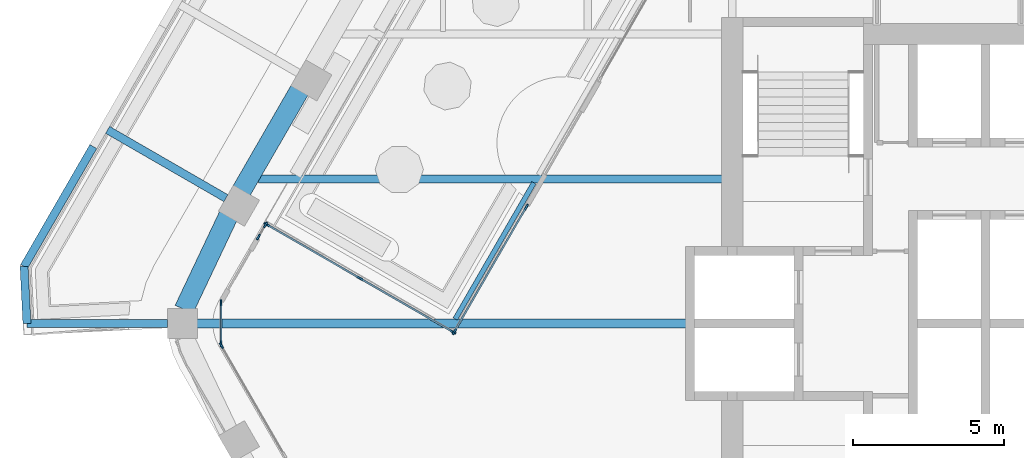
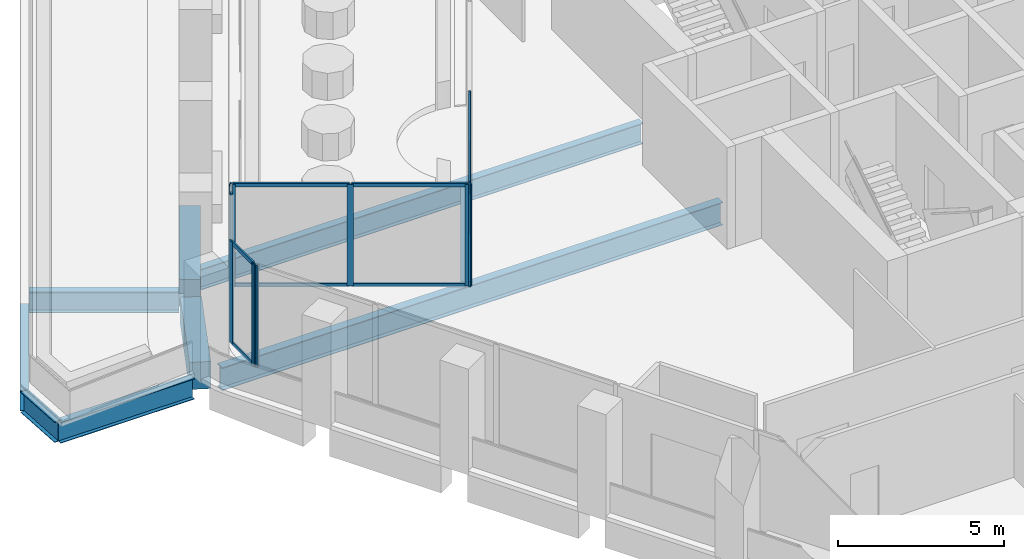
# One storey, part 3 of 18: 18 members, 9 beams, 5 elements without a shape of their own.
"""IFC4 building model written with IfcOpenShell, lengths in metres."""

from ifc_helpers import new_model, si_unit, direction, frame, origin, origin_2d, place, context, subcontext, project, spatial, rectangle, i_section, extrude, material, material_profile, profile_set, type_object, element, aggregate, save


model = new_model("IFC4")

# Units and contexts
model_context = context("Model", 3, precision=1e-05, world=origin(), true_north=direction((0.0, 1.0)))
body_context = subcontext(model_context, "Body", "Model", "MODEL_VIEW")
ifc_project = project(units=[si_unit("LENGTHUNIT", "METRE"), si_unit("AREAUNIT", "SQUARE_METRE"), si_unit("VOLUMEUNIT", "CUBIC_METRE"), si_unit("PLANEANGLEUNIT", "RADIAN"), si_unit("MASSUNIT", "GRAM", prefix="KILO")], contexts=[model_context])

# Site, building, storey
site_placement = place(None, origin())
site = spatial("IfcSite", under=ifc_project, at=site_placement, CompositionType="ELEMENT")
building_placement = place(site_placement, origin())
building = spatial("IfcBuilding", under=site, at=building_placement, Name="Kolab Exchange Tower", CompositionType="ELEMENT")
storey_placement = place(building_placement, frame((0.0, 0.0, 150.5)))
storey = spatial("IfcBuildingStorey", under=building, at=storey_placement, Name="L30", CompositionType="ELEMENT", Elevation=150.5)

# Beams
ifc_material_1 = material(Name="Steel S355", Category="steel")
ifc_material_profile_1 = material_profile(ifc_material_1, i_section(OverallWidth=0.1650390625, OverallDepth=0.31005859375, WebThickness=0.005859375, FlangeThickness=0.009765625, at=origin_2d()), Name="W310X39")
ifc_profile_set_1 = profile_set([ifc_material_profile_1], Name="Steel S355")
beam_type_1 = type_object("IfcBeamType", Name="FLOOR BEAM W310X39", PredefinedType="BEAM", material=ifc_profile_set_1)
beam_1_placement = place(storey_placement, frame((-18.791015625, 0.14599609375, -0.304931640625), z_axis=(0.499992367345, 0.866029810455, 0.0), x_axis=(-0.866029810455, 0.499992367345, 0.0)))
element("IfcBeam", 1, at=beam_1_placement, inside=storey, type_object=beam_type_1, Name="beam/L30/fr/007", PredefinedType="BEAM", context=body_context, shape_type="SweptSolid", body=[
    extrude(i_section(OverallWidth=0.1650390625, OverallDepth=0.31005859375, WebThickness=0.005859375, FlangeThickness=0.009765625, at=origin_2d()), origin(), (0.0, 0.0, 1.0), 5.2197265625),
])
ifc_material_profile_2 = material_profile(ifc_material_1, i_section(OverallWidth=0.26708984375, OverallDepth=0.761962890625, WebThickness=0.014404296875, FlangeThickness=0.021484375, at=origin_2d()), Name="W760X173")
ifc_profile_set_2 = profile_set([ifc_material_profile_2], Name="Steel S355")
beam_type_2 = type_object("IfcBeamType", Name="FLOOR BEAM W760X173", PredefinedType="BEAM", material=ifc_profile_set_2)
beam_2_placement = place(storey_placement, frame((-25.318115234375, 4.800048828125, -0.531005859375), z_axis=(1.0, 0.0, 0.0), x_axis=(0.0, 1.0, 0.0)))
element("IfcBeam", 2, at=beam_2_placement, inside=storey, type_object=beam_type_2, Name="beam/L30/fr/002", PredefinedType="BEAM", context=body_context, shape_type="SweptSolid", body=[
    extrude(i_section(OverallWidth=0.26708984375, OverallDepth=0.761962890625, WebThickness=0.014404296875, FlangeThickness=0.021484375, at=origin_2d()), origin(), (0.0, 0.0, 1.0), 15.408203125),
])
ifc_material_profile_3 = material_profile(ifc_material_1, i_section(OverallWidth=0.2919921875, OverallDepth=0.840087890625, WebThickness=0.0146484375, FlangeThickness=0.021728515625, at=origin_2d()), Name="W840X193")
ifc_profile_set_3 = profile_set([ifc_material_profile_3], Name="Steel S355")
beam_type_3 = type_object("IfcBeamType", Name="FLOOR BEAM W840X193", PredefinedType="BEAM", material=ifc_profile_set_3)
beam_3_placement = place(storey_placement, frame((-27.3759765625, 0.0, -0.570068359375), z_axis=(1.0, 0.0, 0.0), x_axis=(0.0, 1.0, 0.0)))
element("IfcBeam", 3, at=beam_3_placement, inside=storey, type_object=beam_type_3, Name="beam/L30/fr/000", PredefinedType="BEAM", context=body_context, shape_type="SweptSolid", body=[
    extrude(i_section(OverallWidth=0.2919921875, OverallDepth=0.840087890625, WebThickness=0.0146484375, FlangeThickness=0.021728515625, at=origin_2d()), origin(), (0.0, 0.0, 1.0), 17.466064453125),
])
ifc_material_profile_4 = material_profile(ifc_material_1, i_section(OverallWidth=0.26708984375, OverallDepth=0.761962890625, WebThickness=0.014404296875, FlangeThickness=0.021484375, at=origin_2d()), Name="W760X173")
ifc_profile_set_4 = profile_set([ifc_material_profile_4], Name="Steel S355")
beam_type_4 = type_object("IfcBeamType", Name="FLOOR GIRDER W760X173", PredefinedType="BEAM", material=ifc_profile_set_4)
beam_4_placement = place(storey_placement, frame((-28.3359375, 0.0, -0.591064453125), z_axis=(-1.0, 0.0, 0.0), x_axis=(0.0, -1.0, 0.0)))
element("IfcBeam", 4, at=beam_4_placement, inside=storey, type_object=beam_type_4, Name="beam/L30/ledge/rib-00", PredefinedType="BEAM", context=body_context, shape_type="SweptSolid", body=[
    extrude(i_section(OverallWidth=0.26708984375, OverallDepth=0.761962890625, WebThickness=0.014404296875, FlangeThickness=0.021484375, at=origin_2d()), origin(), (0.0, 0.0, 1.0), 4.66650390625),
])
beam_5_placement = place(storey_placement, frame((-26.39990234375, 4.156982421875, -0.591064453125), z_axis=(-0.866043881399, 0.499967994467, 0.0), x_axis=(-0.499967994467, -0.866043881399, 0.0)))
element("IfcBeam", 5, at=beam_5_placement, inside=storey, type_object=beam_type_4, Name="beam/L30/ledge/rib-01", PredefinedType="BEAM", context=body_context, shape_type="SweptSolid", body=[
    extrude(i_section(OverallWidth=0.26708984375, OverallDepth=0.761962890625, WebThickness=0.014404296875, FlangeThickness=0.021484375, at=origin_2d()), origin(), (0.0, 0.0, 1.0), 4.532958984375),
])
beam_6_placement = place(storey_placement, frame((-33.002685546875, 0.0, -0.591064453125), z_axis=(-0.049931181973, 0.998752660606, 0.0), x_axis=(-0.998752660606, -0.049931181973, 0.0)))
element("IfcBeam", 6, at=beam_6_placement, inside=storey, type_object=beam_type_4, Name="beam/L30/ledge/edge-00", PredefinedType="BEAM", context=body_context, shape_type="SweptSolid", body=[
    extrude(i_section(OverallWidth=0.26708984375, OverallDepth=0.761962890625, WebThickness=0.014404296875, FlangeThickness=0.021484375, at=origin_2d()), origin(), (0.0, 0.0, 1.0), 1.892333984375),
])
beam_7_placement = place(storey_placement, frame((-33.09716796875, 1.889892578125, -0.591064453125), z_axis=(0.499980071345, 0.866036909293, 0.0), x_axis=(-0.866036909293, 0.499980071345, 0.0)))
element("IfcBeam", 7, at=beam_7_placement, inside=storey, type_object=beam_type_4, Name="beam/L30/ledge/edge-01", PredefinedType="BEAM", context=body_context, shape_type="SweptSolid", body=[
    extrude(i_section(OverallWidth=0.26708984375, OverallDepth=0.761962890625, WebThickness=0.014404296875, FlangeThickness=0.021484375, at=origin_2d()), origin(), (0.0, 0.0, 1.0), 4.593994140625),
])
ifc_material_2 = material(Name="Concrete C60/75", Category="concrete")
ifc_material_profile_5 = material_profile(ifc_material_2, rectangle(XDim=0.64990234375, YDim=1.0, at=origin_2d()), Name="RC650X1000")
ifc_profile_set_5 = profile_set([ifc_material_profile_5], Name="Concrete C60/75")
beam_type_5 = type_object("IfcBeamType", Name="SPANDREL BEAM 650X1000 C60/75", PredefinedType="BEAM", material=ifc_profile_set_5)
beam_8_placement = place(storey_placement, frame((-27.791259765625, 0.4638671875, -0.64990234375), z_axis=(0.428177731975, 0.903694544545, 0.0), x_axis=(-0.903694544545, 0.428177731975, 0.0)))
element("IfcBeam", 8, at=beam_8_placement, inside=storey, type_object=beam_type_5, Name="beam/L30/sp/F6-01", PredefinedType="BEAM", context=body_context, shape_type="SweptSolid", body=[
    extrude(rectangle(XDim=0.64990234375, YDim=1.0, at=origin_2d()), origin(), (0.0, 0.0, 1.0), 3.445068359375),
])
beam_9_placement = place(storey_placement, frame((-25.888427734375, 4.392822265625, -0.64990234375), z_axis=(0.499996613652, 0.866027358884, 0.0), x_axis=(-0.866027358884, 0.499996613652, 0.0)))
element("IfcBeam", 9, at=beam_9_placement, inside=storey, type_object=beam_type_5, Name="beam/L30/sp/F6-02", PredefinedType="BEAM", context=body_context, shape_type="SweptSolid", body=[
    extrude(rectangle(XDim=0.64990234375, YDim=1.0, at=origin_2d()), origin(), (0.0, 0.0, 1.0), 3.8798828125),
])

# Curtain wall, member
ifc_material_3 = material(Name="Aluminium EN AW-6063 T6", Category="aluminium")
curtain_wall_type = type_object("IfcCurtainWallType", Name="UNITISED UPPER MID ZONE CURTAIN WALL", PredefinedType="NOTDEFINED", material=ifc_material_3)
curtain_wall_1_placement = place(storey_placement, origin())
curtain_wall_1 = element("IfcCurtainWall", 10, at=curtain_wall_1_placement, inside=storey, type_object=curtain_wall_type, Name="cw/L30/F5-2", PredefinedType="NOTDEFINED")
ifc_material_profile_6 = material_profile(ifc_material_3, rectangle(XDim=0.06005859375, YDim=0.199951171875, at=origin_2d()), Name="RECT 60X200")
ifc_profile_set_6 = profile_set([ifc_material_profile_6], Name="Aluminium EN AW-6063 T6")
member_type_1 = type_object("IfcMemberType", Name="UNITISED UPPER MID ZONE MULLION 60 X 200", PredefinedType="MULLION", material=ifc_profile_set_6)
member_1_placement = place(storey_placement, frame((-26.550537109375, -0.736083984375, 0.0), z_axis=(0.0, 0.0, 1.0), x_axis=(-0.866025427826, -0.499999958358, 0.0)))
member_1 = element("IfcMember", 11, at=member_1_placement, type_object=member_type_1, Name="CW3 mullion 4", PredefinedType="MULLION", context=body_context, shape_type="SweptSolid", body=[
    extrude(rectangle(XDim=0.06005859375, YDim=0.199951171875, at=origin_2d()), origin(), (0.0, 0.0, 1.0), 3.75),
])
aggregate(curtain_wall_1, [member_1])

# Curtain wall, members
curtain_wall_2_placement = place(storey_placement, origin())
curtain_wall_2 = element("IfcCurtainWall", 12, at=curtain_wall_2_placement, inside=storey, type_object=curtain_wall_type, Name="cw/L30/F6-l-1", PredefinedType="NOTDEFINED")
member_2_placement = place(storey_placement, frame((-25.320556640625, 2.866455078125, 0.0), z_axis=(0.0, 0.0, 1.0), x_axis=(-0.866025697436, 0.49999949138, 0.0)))
member_2 = element("IfcMember", 13, at=member_2_placement, type_object=member_type_1, Name="CW3 mullion 1", PredefinedType="MULLION", context=body_context, shape_type="SweptSolid", body=[
    extrude(rectangle(XDim=0.06005859375, YDim=0.199951171875, at=origin_2d()), origin(), (0.0, 0.0, 1.0), 3.75),
])
member_3_placement = place(storey_placement, frame((-25.086669921875, 3.271728515625, 0.0), z_axis=(0.0, 0.0, 1.0), x_axis=(-0.866025697436, 0.49999949138, 0.0)))
member_3 = element("IfcMember", 14, at=member_3_placement, type_object=member_type_1, Name="CW3 mullion 2", PredefinedType="MULLION", context=body_context, shape_type="SweptSolid", body=[
    extrude(rectangle(XDim=0.06005859375, YDim=0.199951171875, at=origin_2d()), origin(), (0.0, 0.0, 1.0), 3.75),
])
aggregate(curtain_wall_2, [member_2, member_3])

curtain_wall_3_placement = place(storey_placement, origin())
curtain_wall_3 = element("IfcCurtainWall", 15, at=curtain_wall_3_placement, inside=storey, type_object=curtain_wall_type, Name="cw/L30/F6-rl-1", PredefinedType="NOTDEFINED")
member_4_placement = place(storey_placement, frame((-25.045654296875, 3.28271484375, 0.0), z_axis=(0.0, 0.0, 1.0), x_axis=(0.499999994423, 0.866025407005, 0.0)))
member_4 = element("IfcMember", 16, at=member_4_placement, type_object=member_type_1, Name="CW3 mullion 1", PredefinedType="MULLION", context=body_context, shape_type="SweptSolid", body=[
    extrude(rectangle(XDim=0.06005859375, YDim=0.199951171875, at=origin_2d()), origin(), (0.0, 0.0, 1.0), 3.75),
])
member_5_placement = place(storey_placement, frame((-21.9541015625, 1.49755859375, 0.0), z_axis=(0.0, 0.0, 1.0), x_axis=(0.499999994423, 0.866025407005, 0.0)))
member_5 = element("IfcMember", 17, at=member_5_placement, type_object=member_type_1, Name="CW3 mullion 2", PredefinedType="MULLION", context=body_context, shape_type="SweptSolid", body=[
    extrude(rectangle(XDim=0.06005859375, YDim=0.199951171875, at=origin_2d()), origin(), (0.0, 0.0, 1.0), 3.75),
])
member_6_placement = place(storey_placement, frame((-18.8623046875, -0.287353515625, 0.0), z_axis=(0.0, 0.0, 1.0), x_axis=(0.499999994423, 0.866025407005, 0.0)))
member_6 = element("IfcMember", 18, at=member_6_placement, type_object=member_type_1, Name="CW3 mullion 3", PredefinedType="MULLION", context=body_context, shape_type="SweptSolid", body=[
    extrude(rectangle(XDim=0.06005859375, YDim=0.199951171875, at=origin_2d()), origin(), (0.0, 0.0, 1.0), 3.75),
])

curtain_wall_4_placement = place(storey_placement, origin())
curtain_wall_4 = element("IfcCurtainWall", 19, at=curtain_wall_4_placement, inside=storey, type_object=curtain_wall_type, Name="cw/L30/F6-back-1", PredefinedType="NOTDEFINED")
member_7_placement = place(storey_placement, frame((-18.8212890625, -0.2763671875, 0.0), z_axis=(0.0, 0.0, 1.0), x_axis=(-0.866025406141, 0.499999995919, 0.0)))
member_7 = element("IfcMember", 20, at=member_7_placement, type_object=member_type_1, Name="CW3 mullion 1", PredefinedType="MULLION", context=body_context, shape_type="SweptSolid", body=[
    extrude(rectangle(XDim=0.06005859375, YDim=0.199951171875, at=origin_2d()), origin(), (0.0, 0.0, 1.0), 3.75),
])
member_8_placement = place(storey_placement, frame((-16.431396484375, 3.86328125, 0.0), z_axis=(0.0, 0.0, 1.0), x_axis=(-0.866025406141, 0.499999995919, 0.0)))
member_8 = element("IfcMember", 21, at=member_8_placement, type_object=member_type_1, Name="CW3 mullion 2", PredefinedType="MULLION", context=body_context, shape_type="SweptSolid", body=[
    extrude(rectangle(XDim=0.06005859375, YDim=0.199951171875, at=origin_2d()), origin(), (0.0, 0.0, 1.0), 3.75),
])

curtain_wall_5_placement = place(storey_placement, origin())
curtain_wall_5 = element("IfcCurtainWall", 22, at=curtain_wall_5_placement, inside=storey, type_object=curtain_wall_type, Name="cw/L30/F5F6-corner", PredefinedType="NOTDEFINED")
member_9_placement = place(storey_placement, frame((-26.565673828125, -0.679931640625, 0.0), z_axis=(0.0, 0.0, 1.0), x_axis=(-1.0, 0.0, 0.0)))
member_9 = element("IfcMember", 23, at=member_9_placement, type_object=member_type_1, Name="CW3 mullion 1", PredefinedType="MULLION", context=body_context, shape_type="SweptSolid", body=[
    extrude(rectangle(XDim=0.06005859375, YDim=0.199951171875, at=origin_2d()), origin(), (0.0, 0.0, 1.0), 3.75),
])
member_10_placement = place(storey_placement, frame((-26.565673828125, 0.679931640625, 0.0), z_axis=(0.0, 0.0, 1.0), x_axis=(-1.0, 0.0, 0.0)))
member_10 = element("IfcMember", 24, at=member_10_placement, type_object=member_type_1, Name="CW3 mullion 2", PredefinedType="MULLION", context=body_context, shape_type="SweptSolid", body=[
    extrude(rectangle(XDim=0.06005859375, YDim=0.199951171875, at=origin_2d()), origin(), (0.0, 0.0, 1.0), 3.75),
])

# Member
ifc_material_profile_7 = material_profile(ifc_material_3, rectangle(XDim=0.06005859375, YDim=0.139892578125, at=origin_2d()), Name="RECT 60X140")
ifc_profile_set_7 = profile_set([ifc_material_profile_7], Name="Aluminium EN AW-6063 T6")
member_type_2 = type_object("IfcMemberType", Name="UNITISED UPPER MID ZONE TRANSOM 60 X 140", PredefinedType="USERDEFINED", material=ifc_profile_set_7)
member_11_placement = place(storey_placement, frame((-25.019775390625, 3.267578125, 0.030029296875), z_axis=(0.866043119098, -0.499969314921, 0.0), x_axis=(0.499969314921, 0.866043119098, 0.0)))
member_11 = element("IfcMember", 25, at=member_11_placement, type_object=member_type_2, Name="CW3 transom 1.1", ObjectType="TRANSOM", PredefinedType="USERDEFINED", context=body_context, shape_type="SweptSolid", body=[
    extrude(rectangle(XDim=0.06005859375, YDim=0.139892578125, at=origin_2d()), origin(), (0.0, 0.0, 1.0), 3.510009765625),
])

member_12_placement = place(storey_placement, frame((-25.019775390625, 3.267578125, 3.719970703125), z_axis=(0.866043119098, -0.499969314921, 0.0), x_axis=(0.499969314921, 0.866043119098, 0.0)))
member_12 = element("IfcMember", 26, at=member_12_placement, type_object=member_type_2, Name="CW3 transom 1.2", ObjectType="TRANSOM", PredefinedType="USERDEFINED", context=body_context, shape_type="SweptSolid", body=[
    extrude(rectangle(XDim=0.06005859375, YDim=0.139892578125, at=origin_2d()), origin(), (0.0, 0.0, 1.0), 3.510009765625),
])

member_13_placement = place(storey_placement, frame((-21.927978515625, 1.482666015625, 0.030029296875), z_axis=(0.866013001128, -0.500021481416, 0.0), x_axis=(0.500021481416, 0.866013001128, 0.0)))
member_13 = element("IfcMember", 27, at=member_13_placement, type_object=member_type_2, Name="CW3 transom 2.1", ObjectType="TRANSOM", PredefinedType="USERDEFINED", context=body_context, shape_type="SweptSolid", body=[
    extrude(rectangle(XDim=0.06005859375, YDim=0.139892578125, at=origin_2d()), origin(), (0.0, 0.0, 1.0), 3.510009765625),
])

member_14_placement = place(storey_placement, frame((-21.927978515625, 1.482666015625, 3.719970703125), z_axis=(0.866013001128, -0.500021481416, 0.0), x_axis=(0.500021481416, 0.866013001128, 0.0)))
member_14 = element("IfcMember", 28, at=member_14_placement, type_object=member_type_2, Name="CW3 transom 2.2", ObjectType="TRANSOM", PredefinedType="USERDEFINED", context=body_context, shape_type="SweptSolid", body=[
    extrude(rectangle(XDim=0.06005859375, YDim=0.139892578125, at=origin_2d()), origin(), (0.0, 0.0, 1.0), 3.510009765625),
])

aggregate(curtain_wall_3, [member_4, member_5, member_6, member_11, member_12, member_13, member_14])

member_15_placement = place(storey_placement, frame((-18.806396484375, -0.25048828125, 0.030029296875), z_axis=(0.500016465344, 0.866015897305, 0.0), x_axis=(-0.866015897305, 0.500016465344, 0.0)))
member_15 = element("IfcMember", 29, at=member_15_placement, type_object=member_type_2, Name="CW3 transom 1.1", ObjectType="TRANSOM", PredefinedType="USERDEFINED", context=body_context, shape_type="SweptSolid", body=[
    extrude(rectangle(XDim=0.06005859375, YDim=0.139892578125, at=origin_2d()), origin(), (0.0, 0.0, 1.0), 4.719970703125),
])

member_16_placement = place(storey_placement, frame((-18.806396484375, -0.25048828125, 3.719970703125), z_axis=(0.500016465344, 0.866015897305, 0.0), x_axis=(-0.866015897305, 0.500016465344, 0.0)))
member_16 = element("IfcMember", 30, at=member_16_placement, type_object=member_type_2, Name="CW3 transom 1.2", ObjectType="TRANSOM", PredefinedType="USERDEFINED", context=body_context, shape_type="SweptSolid", body=[
    extrude(rectangle(XDim=0.06005859375, YDim=0.139892578125, at=origin_2d()), origin(), (0.0, 0.0, 1.0), 4.719970703125),
])

aggregate(curtain_wall_4, [member_7, member_8, member_15, member_16])

member_17_placement = place(storey_placement, frame((-26.565673828125, -0.64990234375, 0.030029296875), z_axis=(0.0, 1.0, 0.0), x_axis=(-1.0, 0.0, 0.0)))
member_17 = element("IfcMember", 31, at=member_17_placement, type_object=member_type_2, Name="CW3 transom 1.1", ObjectType="TRANSOM", PredefinedType="USERDEFINED", context=body_context, shape_type="SweptSolid", body=[
    extrude(rectangle(XDim=0.06005859375, YDim=0.139892578125, at=origin_2d()), origin(), (0.0, 0.0, 1.0), 1.2998046875),
])

member_18_placement = place(storey_placement, frame((-26.565673828125, -0.64990234375, 3.719970703125), z_axis=(0.0, 1.0, 0.0), x_axis=(-1.0, 0.0, 0.0)))
member_18 = element("IfcMember", 32, at=member_18_placement, type_object=member_type_2, Name="CW3 transom 1.2", ObjectType="TRANSOM", PredefinedType="USERDEFINED", context=body_context, shape_type="SweptSolid", body=[
    extrude(rectangle(XDim=0.06005859375, YDim=0.139892578125, at=origin_2d()), origin(), (0.0, 0.0, 1.0), 1.2998046875),
])

aggregate(curtain_wall_5, [member_9, member_10, member_17, member_18])

save(model, "model.ifc")
